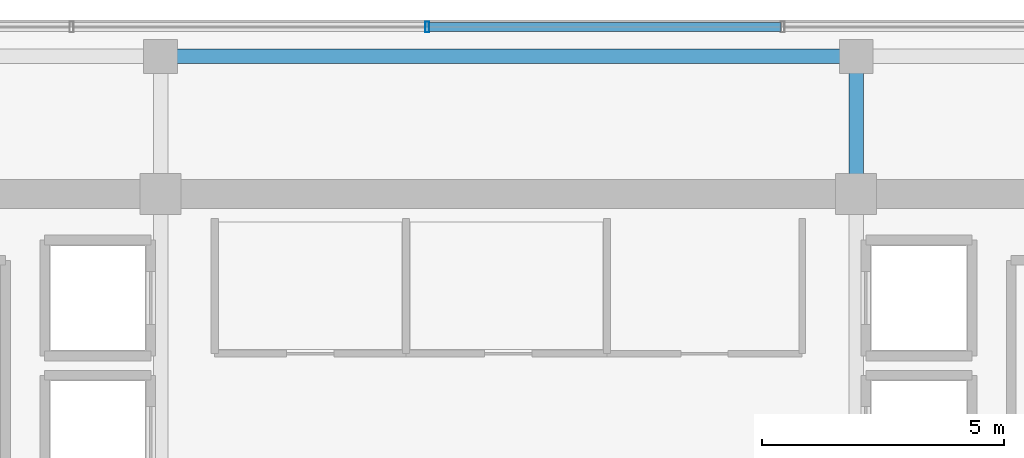
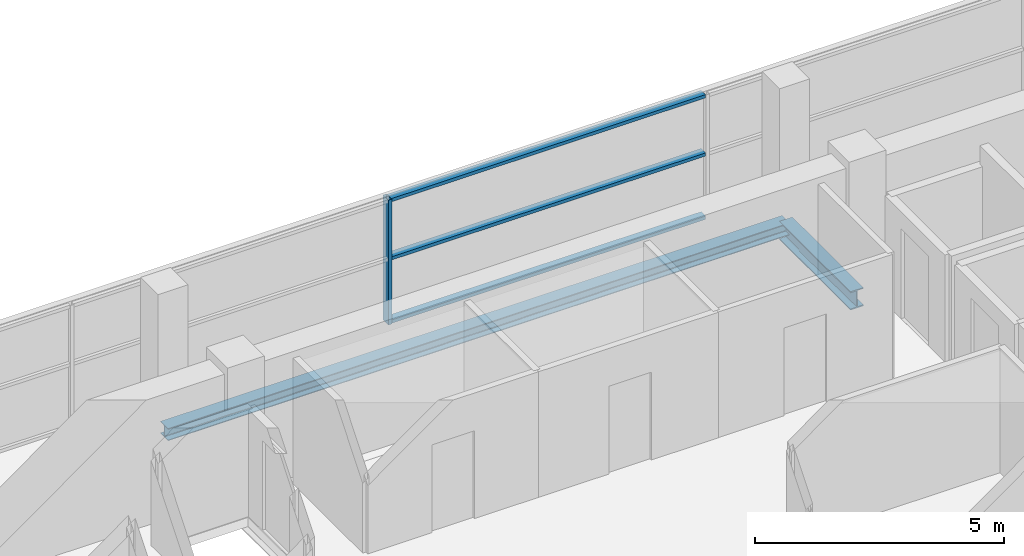
# One storey, part 11 of 22: 4 members, 2 beams, 1 element without a shape of its own.
"""IFC4 building model written with IfcOpenShell, lengths in metres."""

from ifc_helpers import new_model, si_unit, direction, frame, origin, origin_2d, place, context, subcontext, project, spatial, hollow_rectangle, i_section, extrude, source, transform, mapped, material, layer, layer_set, material_profile, profile_set, type_object, element, aggregate, save


model = new_model("IFC4")

# Units and contexts
model_context = context("Model", 3, precision=1e-05, world=origin(), true_north=direction((0.0, 1.0)))
body_context = subcontext(model_context, "Body", "Model", "MODEL_VIEW")
ifc_project = project(units=[si_unit("LENGTHUNIT", "METRE"), si_unit("AREAUNIT", "SQUARE_METRE"), si_unit("VOLUMEUNIT", "CUBIC_METRE"), si_unit("PLANEANGLEUNIT", "RADIAN"), si_unit("MASSUNIT", "GRAM", prefix="KILO")], contexts=[model_context])

# Site, building, storey
site_placement = place(None, origin())
site = spatial("IfcSite", under=ifc_project, at=site_placement, CompositionType="ELEMENT")
building_placement = place(site_placement, origin())
building = spatial("IfcBuilding", under=site, at=building_placement, Name="Zarnakvel Exchange Tower", CompositionType="ELEMENT")
storey_placement = place(building_placement, frame((0.0, 0.0, 245.199951171875)))
storey = spatial("IfcBuildingStorey", under=building, at=storey_placement, Name="L69", CompositionType="ELEMENT", Elevation=245.199951171875)

# Beams
ifc_material_1 = material(Name="Steel S355", Category="steel")
ifc_material_profile_1 = material_profile(ifc_material_1, i_section(OverallWidth=0.300048828125, OverallDepth=0.449951171875, WebThickness=0.013916015625, FlangeThickness=0.02587890625, FilletRadius=0.027099609375, at=origin_2d()))
ifc_profile_set_1 = profile_set([ifc_material_profile_1], Name="Steel S355")
beam_type_1 = type_object("IfcBeamType", Name="G-07", PredefinedType="BEAM", material=ifc_profile_set_1)
beam_1_placement = place(storey_placement, frame((7.199951171875, 13.5, -0.449951171875), z_axis=(0.0, 1.0, 0.0), x_axis=(-1.0, 0.0, 0.0)))
element("IfcBeam", 1, at=beam_1_placement, inside=storey, type_object=beam_type_1, Name="L69 Tower N-S Frame Beam", PredefinedType="BEAM", context=body_context, shape_type="SweptSolid", body=[
    extrude(i_section(OverallWidth=0.300048828125, OverallDepth=0.449951171875, WebThickness=0.013916015625, FlangeThickness=0.02587890625, FilletRadius=0.027099609375, at=origin_2d()), origin(), (0.0, 0.0, 1.0), 2.85009765625),
])
ifc_material_profile_2 = material_profile(ifc_material_1, i_section(OverallWidth=0.300048828125, OverallDepth=0.300048828125, WebThickness=0.010986328125, FlangeThickness=0.01904296875, FilletRadius=0.027099609375, at=origin_2d()))
ifc_profile_set_2 = profile_set([ifc_material_profile_2], Name="Steel S355")
beam_type_2 = type_object("IfcBeamType", Name="SP-03", PredefinedType="SPANDREL", material=ifc_profile_set_2)
beam_2_placement = place(storey_placement, frame((-7.199951171875, 16.35009765625, -0.375), z_axis=(1.0, 0.0, 0.0), x_axis=(0.0, 1.0, 0.0)))
element("IfcBeam", 2, at=beam_2_placement, inside=storey, type_object=beam_type_2, Name="L69 Tower E-W Frame Beam", PredefinedType="SPANDREL", context=body_context, shape_type="SweptSolid", body=[
    extrude(i_section(OverallWidth=0.300048828125, OverallDepth=0.300048828125, WebThickness=0.010986328125, FlangeThickness=0.01904296875, FilletRadius=0.027099609375, at=origin_2d()), origin(), (0.0, 0.0, 1.0), 14.39990234375),
])

# Curtain wall, members
ifc_material_2 = material(Name="Architectural Bronze Anodised Aluminium", Category="aluminium")
ifc_layer = layer(ifc_material_2, 0.219970703125)
ifc_layer_set = layer_set([ifc_layer], Name="Architectural Bronze Anodised Aluminium")
curtain_wall_type = type_object("IfcCurtainWallType", Name="CW-03", PredefinedType="NOTDEFINED", material=ifc_layer_set)
curtain_wall_placement = place(storey_placement, origin())
curtain_wall = element("IfcCurtainWall", 3, at=curtain_wall_placement, inside=storey, type_object=curtain_wall_type, Name="L69 Curtain Wall CW-L69-N1 (CW-03)", PredefinedType="NOTDEFINED")
ifc_material_profile_3 = material_profile(ifc_material_2, hollow_rectangle(XDim=0.219970703125, YDim=0.080078125, WallThickness=0.0048828125, at=origin_2d()))
ifc_profile_set_3 = profile_set([ifc_material_profile_3], Name="Architectural Bronze Anodised Aluminium")
member_type_1 = type_object("IfcMemberType", Name="CWM-03", PredefinedType="MULLION", material=ifc_profile_set_3)
shared_shape_1 = source(origin(), body_context, "Body", "SweptSolid", [
    extrude(hollow_rectangle(XDim=0.219970703125, YDim=0.080078125, WallThickness=0.0048828125, at=origin_2d()), origin(), (0.0, 0.0, 1.0), 3.054931640625),
])
member_1_placement = place(storey_placement, frame((-1.679931640625, 16.9599609375, 0.0), z_axis=(0.0, 0.0, 1.0), x_axis=(0.0, 1.0, 0.0)))
member_1 = element("IfcMember", 4, at=member_1_placement, type_object=member_type_1, Name="CW-03 mullion 3", PredefinedType="MULLION", context=body_context, shape_type="MappedRepresentation", body=[
    mapped(shared_shape_1, transform((0.0, 0.0, 0.0), x_axis=(1.0, 0.0, 0.0), y_axis=(0.0, 1.0, 0.0), z_axis=(0.0, 0.0, 1.0), scale=1.0)),
])
ifc_material_profile_4 = material_profile(ifc_material_2, hollow_rectangle(XDim=0.179931640625, YDim=0.080078125, WallThickness=0.00390625, at=origin_2d()))
ifc_profile_set_4 = profile_set([ifc_material_profile_4], Name="Architectural Bronze Anodised Aluminium")
member_type_2 = type_object("IfcMemberType", Name="CWT-03", PredefinedType="USERDEFINED", material=ifc_profile_set_4)
shared_shape_2 = source(origin(), body_context, "Body", "SweptSolid", [
    extrude(hollow_rectangle(XDim=0.179931640625, YDim=0.080078125, WallThickness=0.00390625, at=origin_2d()), origin(), (0.0, 0.0, 1.0), 7.27978515625),
])
member_2_placement = place(storey_placement, frame((-1.639892578125, 16.9599609375, 0.0400390625), z_axis=(1.0, 0.0, 0.0), x_axis=(0.0, 1.0, 0.0)))
member_2 = element("IfcMember", 5, at=member_2_placement, type_object=member_type_2, Name="CW-03 transom 3.1", ObjectType="TRANSOM", PredefinedType="USERDEFINED", context=body_context, shape_type="MappedRepresentation", body=[
    mapped(shared_shape_2, transform((0.0, 0.0, 0.0), x_axis=(1.0, 0.0, 0.0), y_axis=(0.0, 1.0, 0.0), z_axis=(0.0, 0.0, 1.0), scale=1.0)),
])
member_3_placement = place(storey_placement, frame((-1.639892578125, 16.9599609375, 1.588623046875), z_axis=(1.0, 0.0, 0.0), x_axis=(0.0, 1.0, 0.0)))
member_3 = element("IfcMember", 6, at=member_3_placement, type_object=member_type_2, Name="CW-03 transom 3.2", ObjectType="TRANSOM", PredefinedType="USERDEFINED", context=body_context, shape_type="MappedRepresentation", body=[
    mapped(shared_shape_2, transform((0.0, 0.0, 0.0), x_axis=(1.0, 0.0, 0.0), y_axis=(0.0, 1.0, 0.0), z_axis=(0.0, 0.0, 1.0), scale=1.0)),
])
member_4_placement = place(storey_placement, frame((-1.639892578125, 16.9599609375, 3.01513671875), z_axis=(1.0, 0.0, 0.0), x_axis=(0.0, 1.0, 0.0)))
member_4 = element("IfcMember", 7, at=member_4_placement, type_object=member_type_2, Name="CW-03 transom 3.3", ObjectType="TRANSOM", PredefinedType="USERDEFINED", context=body_context, shape_type="MappedRepresentation", body=[
    mapped(shared_shape_2, transform((0.0, 0.0, 0.0), x_axis=(1.0, 0.0, 0.0), y_axis=(0.0, 1.0, 0.0), z_axis=(0.0, 0.0, 1.0), scale=1.0)),
])
aggregate(curtain_wall, [member_1, member_2, member_3, member_4])

save(model, "model.ifc")
